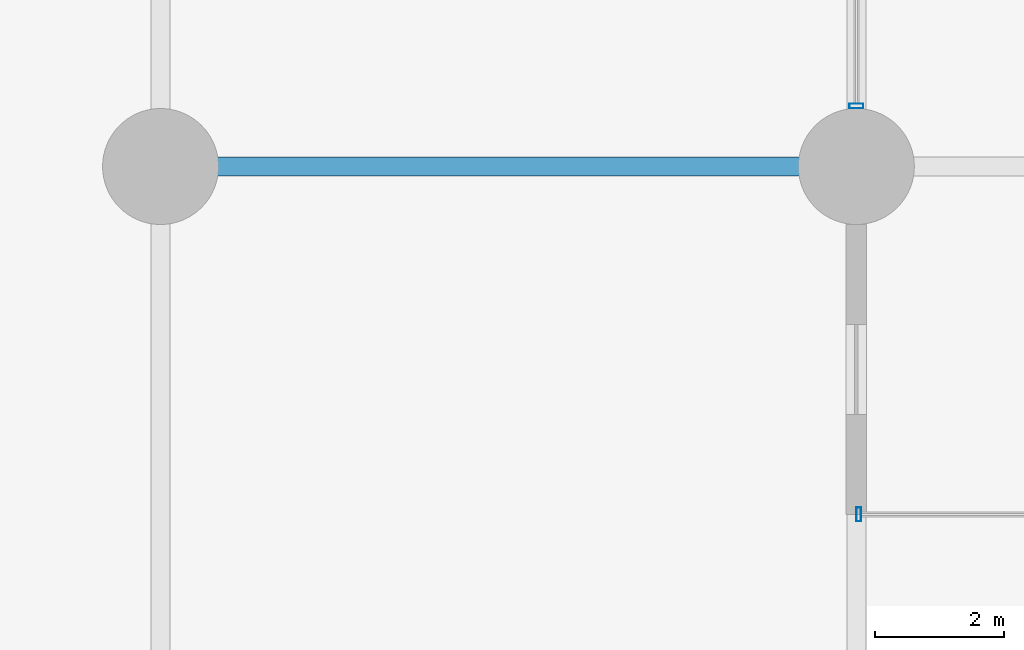
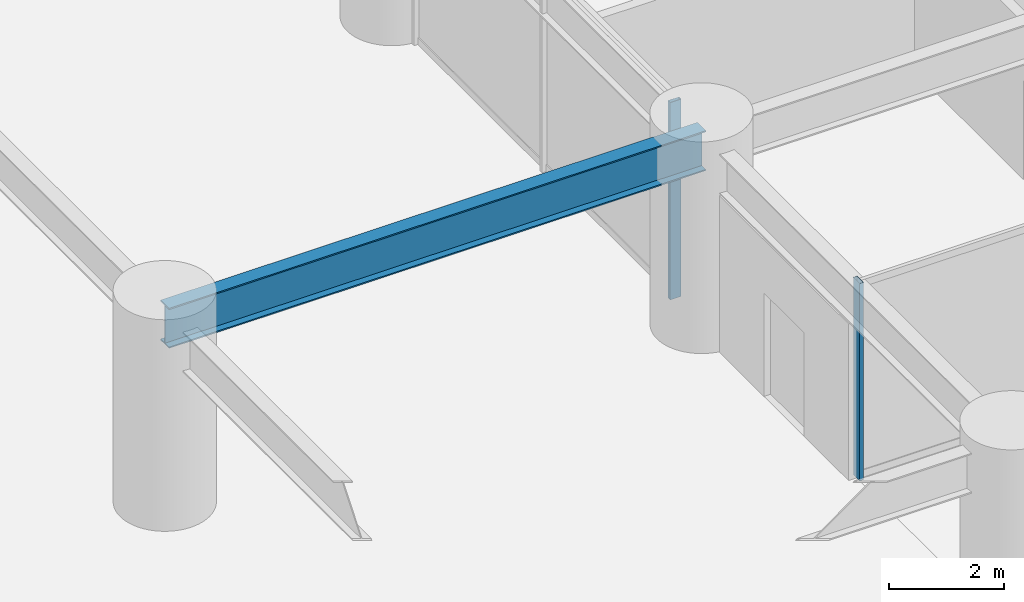
# One storey, part 5 of 29: 2 members, 1 beam, 2 elements without a shape of their own.
"""IFC4 building model written with IfcOpenShell, lengths in metres."""

from ifc_helpers import new_model, si_unit, direction, frame, origin, origin_2d, place, context, subcontext, project, spatial, hollow_rectangle, i_section, extrude, material, layer, layer_set, material_profile, profile_set, type_object, element, aggregate, save


model = new_model("IFC4")

# Units and contexts
model_context = context("Model", 3, precision=1e-05, world=origin(), true_north=direction((0.0, 1.0)))
body_context = subcontext(model_context, "Body", "Model", "MODEL_VIEW")
ifc_project = project(units=[si_unit("LENGTHUNIT", "METRE"), si_unit("AREAUNIT", "SQUARE_METRE"), si_unit("VOLUMEUNIT", "CUBIC_METRE"), si_unit("PLANEANGLEUNIT", "RADIAN"), si_unit("MASSUNIT", "GRAM", prefix="KILO")], contexts=[model_context])

# Site, building, storey
site_placement = place(None, origin())
site = spatial("IfcSite", under=ifc_project, at=site_placement, CompositionType="ELEMENT")
building_placement = place(site_placement, origin())
building = spatial("IfcBuilding", under=site, at=building_placement, Name="Surkhivell Harbour Commons", CompositionType="ELEMENT")
storey_placement = place(building_placement, origin())
storey = spatial("IfcBuildingStorey", under=building, at=storey_placement, Name="L00", CompositionType="ELEMENT", Elevation=0.0)

# Beam
ifc_material_1 = material(Name="Steel S460", Category="steel")
ifc_material_profile_1 = material_profile(ifc_material_1, i_section(OverallWidth=0.2939453125, OverallDepth=0.85107421875, WebThickness=0.01611328125, FlangeThickness=0.02685546875, at=origin_2d()), Name="UB838x292x226")
ifc_profile_set_1 = profile_set([ifc_material_profile_1], Name="Steel S460")
beam_type = type_object("IfcBeamType", Name="BM-SPN-838", PredefinedType="SPANDREL", material=ifc_profile_set_1)
beam_placement = place(storey_placement, frame((-32.39990234375, -10.800048828125, 3.7744140625), z_axis=(1.0, 0.0, 0.0), x_axis=(0.0, 1.0, 0.0)))
element("IfcBeam", 1, at=beam_placement, inside=storey, type_object=beam_type, Name="L00 Framing Beam (-32.4,-10.8)", PredefinedType="SPANDREL", context=body_context, shape_type="SweptSolid", body=[
    extrude(i_section(OverallWidth=0.2939453125, OverallDepth=0.85107421875, WebThickness=0.01611328125, FlangeThickness=0.02685546875, at=origin_2d()), origin(), (0.0, 0.0, 1.0), 10.7998046875),
])

# Curtain wall, member
ifc_material_2 = material(Name="Anodised pale-metal aluminium and insulated glazing", Category="aluminium")
ifc_layer = layer(ifc_material_2, 0.239990234375)
ifc_layer_set = layer_set([ifc_layer], Name="Anodised pale-metal aluminium and insulated glazing")
curtain_wall_type = type_object("IfcCurtainWallType", Name="CW-SYS-POD", PredefinedType="NOTDEFINED", material=ifc_layer_set)
curtain_wall_1_placement = place(storey_placement, origin())
curtain_wall_1 = element("IfcCurtainWall", 2, at=curtain_wall_1_placement, inside=storey, type_object=curtain_wall_type, Name="L00 Curtain Wall CW-L00-P01", PredefinedType="NOTDEFINED")
ifc_material_3 = material(Name="Anodised pale-metal aluminium alloy 6063-T6", Category="aluminium")
ifc_material_profile_2 = material_profile(ifc_material_3, hollow_rectangle(XDim=0.074951171875, YDim=0.219970703125, WallThickness=0.00390625, at=origin_2d()), Name="ALU-MULL-75x220")
ifc_profile_set_2 = profile_set([ifc_material_profile_2], Name="Anodised pale-metal aluminium alloy 6063-T6")
member_type = type_object("IfcMemberType", Name="CWM-220", PredefinedType="MULLION", material=ifc_profile_set_2)
member_1_placement = place(storey_placement, frame((-21.5625, -16.199951171875, 0.0), z_axis=(0.0, 0.0, 1.0), x_axis=(1.0, 0.0, 0.0)))
member_1 = element("IfcMember", 3, at=member_1_placement, type_object=member_type, Name="CW-POD mullion 1", PredefinedType="MULLION", context=body_context, shape_type="SweptSolid", body=[
    extrude(hollow_rectangle(XDim=0.074951171875, YDim=0.219970703125, WallThickness=0.00390625, at=origin_2d()), origin(), (0.0, 0.0, 1.0), 4.199951171875),
])
aggregate(curtain_wall_1, [member_1])

curtain_wall_2_placement = place(storey_placement, origin())
curtain_wall_2 = element("IfcCurtainWall", 4, at=curtain_wall_2_placement, inside=storey, type_object=curtain_wall_type, Name="L00 Curtain Wall CW-L00-P05", PredefinedType="NOTDEFINED")
member_2_placement = place(storey_placement, frame((-21.60009765625, -9.860595703125, 0.0), z_axis=(0.0, 0.0, 1.0), x_axis=(0.0, 1.0, 0.0)))
member_2 = element("IfcMember", 5, at=member_2_placement, type_object=member_type, Name="CW-POD mullion 1", PredefinedType="MULLION", context=body_context, shape_type="SweptSolid", body=[
    extrude(hollow_rectangle(XDim=0.074951171875, YDim=0.219970703125, WallThickness=0.00390625, at=origin_2d()), origin(), (0.0, 0.0, 1.0), 4.199951171875),
])
aggregate(curtain_wall_2, [member_2])

save(model, "model.ifc")
